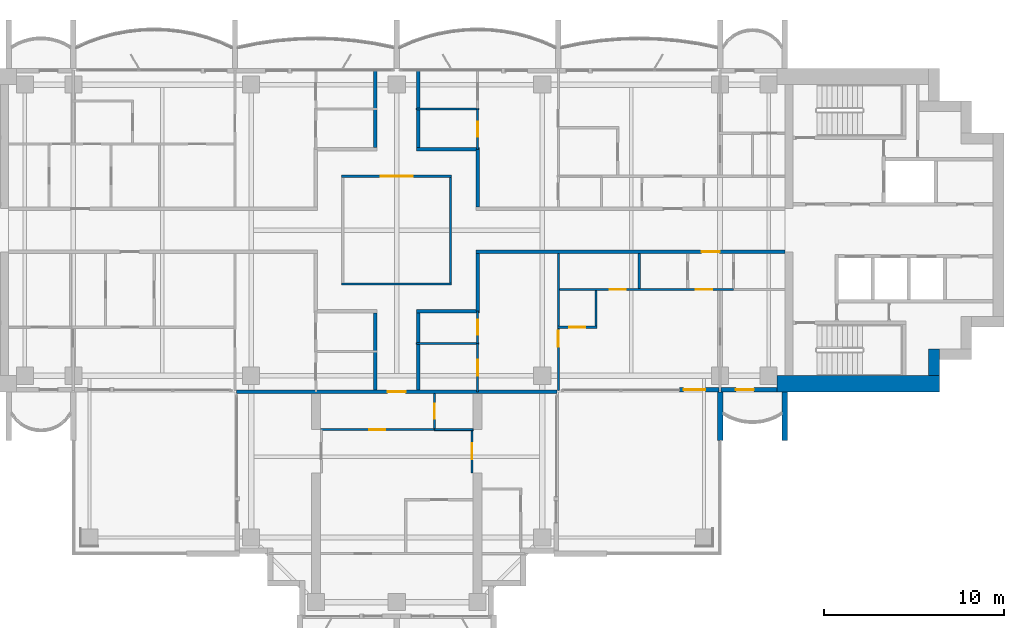
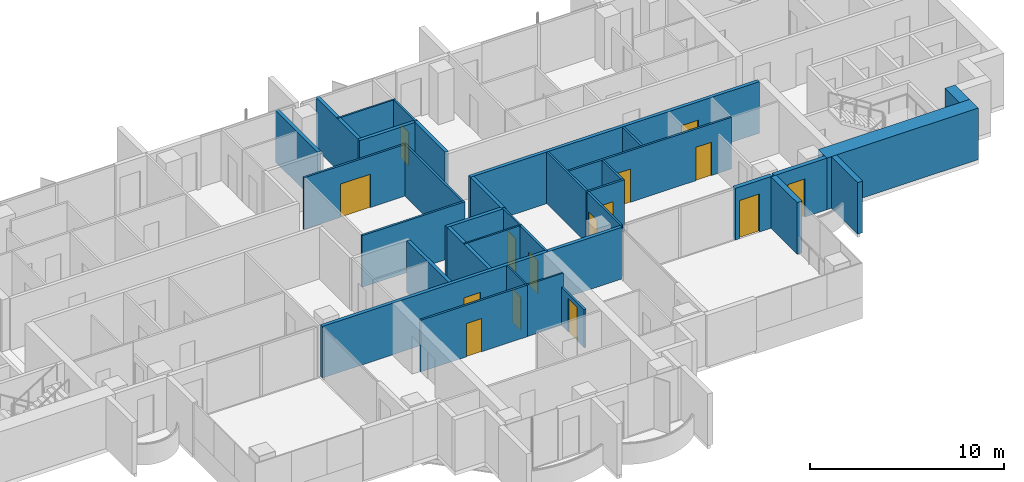
# One storey, part 11 of 18: 33 walls, 15 doors, 15 openings.
"""IFC4 building model written with IfcOpenShell, lengths in metres."""

from ifc_helpers import new_model, si_unit, direction, frame, frame_2d, origin, place, context, subcontext, project, spatial, rectangle, extrude, material, layer, layer_set, type_object, element, fill, save


model = new_model("IFC4")

# Units and contexts
model_context = context("Model", 3, precision=1e-05, world=origin(), true_north=direction((0.0, 1.0)))
body_context = subcontext(model_context, "Body", "Model", "MODEL_VIEW")
ifc_project = project(units=[si_unit("LENGTHUNIT", "METRE"), si_unit("AREAUNIT", "SQUARE_METRE"), si_unit("VOLUMEUNIT", "CUBIC_METRE"), si_unit("PLANEANGLEUNIT", "RADIAN"), si_unit("MASSUNIT", "GRAM", prefix="KILO")], contexts=[model_context])

# Site, building, storey
site_placement = place(None, origin())
site = spatial("IfcSite", under=ifc_project, at=site_placement, CompositionType="ELEMENT")
building_placement = place(site_placement, origin())
building = spatial("IfcBuilding", under=site, at=building_placement, Name="Perihelion Cross Residences", CompositionType="ELEMENT")
storey_placement = place(building_placement, frame((0.0, 0.0, 173.60009765625)))
storey = spatial("IfcBuildingStorey", under=building, at=storey_placement, Name="L42", CompositionType="ELEMENT", Elevation=173.60009765625)

# Walls
ifc_material_1 = material(Name="Plasterboard partition")
ifc_layer_1 = layer(ifc_material_1, 0.199951171875)
ifc_layer_set_1 = layer_set([ifc_layer_1], Name="Apartment separation wall 200")
wall_type_1 = type_object("IfcWallType", Name="Apartment separation wall 200", PredefinedType="PARTITIONING", material=ifc_layer_set_1)
wall_1_placement = place(storey_placement, frame((4.5, 4.5, 0.0), z_axis=(0.0, 0.0, 1.0), x_axis=(0.0, -1.0, 0.0)))
element("IfcWall", 1, at=wall_1_placement, inside=storey, type_object=wall_type_1, Name="Partition L42 W006", PredefinedType="PARTITIONING", context=body_context, shape_type="SweptSolid", body=[
    extrude(rectangle(XDim=3.199951171875, YDim=0.199951171875, at=frame_2d((1.60009765625, 0.0))), origin(), (0.0, 0.0, 1.0), 3.25),
])
wall_2_placement = place(storey_placement, frame((1.199951171875, 8.919921875, 0.0), z_axis=(0.0, 0.0, 1.0), x_axis=(0.0, -1.0, 0.0)))
element("IfcWall", 2, at=wall_2_placement, inside=storey, type_object=wall_type_1, Name="Partition L42 W007", PredefinedType="PARTITIONING", context=body_context, shape_type="SweptSolid", body=[
    extrude(rectangle(XDim=4.31982421875, YDim=0.199951171875, at=frame_2d((2.159912109375, 0.0))), origin(), (0.0, 0.0, 1.0), 3.25),
])
wall_3_placement = place(storey_placement, frame((1.10009765625, 4.5, 0.0), z_axis=(0.0, 0.0, 1.0), x_axis=(1.0, 0.0, 0.0)))
element("IfcWall", 3, at=wall_3_placement, inside=storey, type_object=wall_type_1, Name="Partition L42 W008", PredefinedType="PARTITIONING", context=body_context, shape_type="SweptSolid", body=[
    extrude(rectangle(XDim=3.5, YDim=0.199951171875, at=frame_2d((1.75, 0.0))), origin(), (0.0, 0.0, 1.0), 3.25),
])

# Wall, opening, door
wall_4_placement = place(storey_placement, frame((21.60009765625, -1.199951171875, 0.0), z_axis=(0.0, 0.0, 1.0), x_axis=(-1.0, 0.0, 0.0)))
wall_4 = element("IfcWall", 4, at=wall_4_placement, inside=storey, type_object=wall_type_1, Name="Partition L42 W009", PredefinedType="PARTITIONING", context=body_context, shape_type="SweptSolid", body=[
    extrude(rectangle(XDim=17.2001953125, YDim=0.199951171875, at=frame_2d((8.60009765625, 0.0))), origin(), (0.0, 0.0, 1.0), 3.25),
])
opening_1_placement = place(wall_4_placement, frame((3.625, 0.0, 0.0)))
opening_1 = element("IfcOpeningElement", 5, at=opening_1_placement, cuts=wall_4, Name="Opening L42.A46", PredefinedType="OPENING", context=body_context, shape_type="SweptSolid", body=[
    extrude(rectangle(XDim=1.0, YDim=2.10009765625, at=frame_2d((0.5, 1.050048828125))), frame((0.0, 0.10986328125, 0.0), z_axis=(0.0, -1.0, 0.0), x_axis=(1.0, 0.0, 0.0)), (0.0, 0.0, 1.0), 0.219970703125),
])
ifc_material_2 = material(Name="Timber door leaf", Category="wood")
door_type_1 = type_object("IfcDoorType", Name="Flat entrance door 1000 x 2100", OperationType="SINGLE_SWING_LEFT", PredefinedType="DOOR", material=ifc_material_2)
door_1_placement = place(opening_1_placement, origin())
door_1 = element("IfcDoor", 6, at=door_1_placement, inside=storey, type_object=door_type_1, Name="Door L42.A46", OperationType="SINGLE_SWING_RIGHT", OverallHeight=2.10009765625, OverallWidth=1.0, PredefinedType="DOOR", context=body_context, shape_type="SweptSolid", body=[
    extrude(rectangle(XDim=1.0, YDim=2.10009765625, at=frame_2d((0.5, 1.050048828125))), frame((0.0, 0.02490234375, 0.0), z_axis=(0.0, -1.0, 0.0), x_axis=(1.0, 0.0, 0.0)), (0.0, 0.0, 1.0), 0.050048828125),
])
fill(opening_1, door_1)

# Walls
wall_5_placement = place(storey_placement, frame((4.5, -1.300048828125, 0.0), z_axis=(0.0, 0.0, 1.0), x_axis=(0.0, -1.0, 0.0)))
element("IfcWall", 7, at=wall_5_placement, inside=storey, type_object=wall_type_1, Name="Partition L42 W010", PredefinedType="PARTITIONING", context=body_context, shape_type="SweptSolid", body=[
    extrude(rectangle(XDim=3.199951171875, YDim=0.199951171875, at=frame_2d((1.60009765625, 0.0))), origin(), (0.0, 0.0, 1.0), 3.25),
])
wall_6_placement = place(storey_placement, frame((4.60009765625, -4.5, 0.0), z_axis=(0.0, 0.0, 1.0), x_axis=(-1.0, 0.0, 0.0)))
element("IfcWall", 8, at=wall_6_placement, inside=storey, type_object=wall_type_1, Name="Partition L42 W011", PredefinedType="PARTITIONING", context=body_context, shape_type="SweptSolid", body=[
    extrude(rectangle(XDim=3.5, YDim=0.199951171875, at=frame_2d((1.75, 0.0))), origin(), (0.0, 0.0, 1.0), 3.25),
])
wall_7_placement = place(storey_placement, frame((1.199951171875, -4.60009765625, 0.0), z_axis=(0.0, 0.0, 1.0), x_axis=(0.0, -1.0, 0.0)))
element("IfcWall", 9, at=wall_7_placement, inside=storey, type_object=wall_type_1, Name="Partition L42 W012", PredefinedType="PARTITIONING", context=body_context, shape_type="SweptSolid", body=[
    extrude(rectangle(XDim=4.2998046875, YDim=0.199951171875, at=frame_2d((2.14990234375, 0.0))), origin(), (0.0, 0.0, 1.0), 3.25),
])
wall_8_placement = place(storey_placement, frame((-1.199951171875, 4.60009765625, 0.0), z_axis=(0.0, 0.0, 1.0), x_axis=(0.0, 1.0, 0.0)))
element("IfcWall", 10, at=wall_8_placement, inside=storey, type_object=wall_type_1, Name="Partition L42 W016", PredefinedType="PARTITIONING", context=body_context, shape_type="SweptSolid", body=[
    extrude(rectangle(XDim=4.31982421875, YDim=0.199951171875, at=frame_2d((2.159912109375, 0.0))), origin(), (0.0, 0.0, 1.0), 3.25),
])
wall_9_placement = place(storey_placement, frame((-1.199951171875, -8.89990234375, 0.0), z_axis=(0.0, 0.0, 1.0), x_axis=(0.0, 1.0, 0.0)))
element("IfcWall", 11, at=wall_9_placement, inside=storey, type_object=wall_type_1, Name="Partition L42 W019", PredefinedType="PARTITIONING", context=body_context, shape_type="SweptSolid", body=[
    extrude(rectangle(XDim=4.2998046875, YDim=0.199951171875, at=frame_2d((2.14990234375, 0.0))), origin(), (0.0, 0.0, 1.0), 3.25),
])

# Wall, opening, door
wall_10_placement = place(storey_placement, frame((8.919921875, -9.0, 0.0), z_axis=(0.0, 0.0, 1.0), x_axis=(-1.0, 0.0, 0.0)))
wall_10 = element("IfcWall", 12, at=wall_10_placement, inside=storey, type_object=wall_type_1, Name="Partition L42 W021", PredefinedType="PARTITIONING", context=body_context, shape_type="SweptSolid", body=[
    extrude(rectangle(XDim=17.83984375, YDim=0.199951171875, at=frame_2d((8.919921875, 0.0))), origin(), (0.0, 0.0, 1.0), 3.25),
])
opening_2_placement = place(wall_10_placement, frame((8.419921875, 0.0, 0.0)))
opening_2 = element("IfcOpeningElement", 13, at=opening_2_placement, cuts=wall_10, Name="Opening L42.A39", PredefinedType="OPENING", context=body_context, shape_type="SweptSolid", body=[
    extrude(rectangle(XDim=1.0, YDim=2.10009765625, at=frame_2d((0.5, 1.050048828125))), frame((0.0, 0.10986328125, 0.0), z_axis=(0.0, -1.0, 0.0), x_axis=(1.0, 0.0, 0.0)), (0.0, 0.0, 1.0), 0.219970703125),
])
door_2_placement = place(opening_2_placement, origin())
door_2 = element("IfcDoor", 14, at=door_2_placement, inside=storey, type_object=door_type_1, Name="Door L42.A39", OperationType="SINGLE_SWING_LEFT", OverallHeight=2.10009765625, OverallWidth=1.0, PredefinedType="DOOR", context=body_context, shape_type="SweptSolid", body=[
    extrude(rectangle(XDim=1.0, YDim=2.10009765625, at=frame_2d((0.5, 1.050048828125))), frame((0.0, 0.02490234375, 0.0), z_axis=(0.0, -1.0, 0.0), x_axis=(1.0, 0.0, 0.0)), (0.0, 0.0, 1.0), 0.050048828125),
])
fill(opening_2, door_2)

ifc_material_3 = material(Name="Concrete C30/37, bronze-clad", Category="concrete")
ifc_layer_2 = layer(ifc_material_3, 0.25)
ifc_layer_set_2 = layer_set([ifc_layer_2], Name="Bronze-clad pier wall 250")
wall_type_2 = type_object("IfcWallType", Name="Bronze-clad pier wall 250", PredefinedType="SOLIDWALL", material=ifc_layer_set_2)
wall_11_placement = place(storey_placement, frame((15.72509765625, -8.875, 0.0), z_axis=(0.0, 0.0, 1.0), x_axis=(1.0, 0.0, 0.0)))
wall_11 = element("IfcWall", 15, at=wall_11_placement, inside=storey, type_object=wall_type_2, Name="Wall FW1 L42 east side south bay 1 pier", PredefinedType="SOLIDWALL", context=body_context, shape_type="SweptSolid", body=[
    extrude(rectangle(XDim=2.21484375, YDim=0.25, at=frame_2d((1.107421875, 0.0))), origin(), (0.0, 0.0, 1.0), 3.25),
])
opening_3_placement = place(wall_11_placement, frame((0.25, 0.0, 0.0)))
opening_3 = element("IfcOpeningElement", 16, at=opening_3_placement, cuts=wall_11, Name="Opening L42.E13", PredefinedType="OPENING", context=body_context, shape_type="SweptSolid", body=[
    extrude(rectangle(XDim=1.199951171875, YDim=2.39990234375, at=frame_2d((0.60009765625, 1.199951171875))), frame((0.0, 0.135009765625, 0.0), z_axis=(0.0, -1.0, 0.0), x_axis=(1.0, 0.0, 0.0)), (0.0, 0.0, 1.0), 0.27001953125),
])
ifc_material_4 = material(Name="Bronze anodised aluminium, glazed", Category="aluminium")
door_type_2 = type_object("IfcDoorType", Name="Balcony door 1200 x 2400", OperationType="NOTDEFINED", PredefinedType="DOOR", material=ifc_material_4)
door_3_placement = place(opening_3_placement, origin())
door_3 = element("IfcDoor", 17, at=door_3_placement, inside=storey, type_object=door_type_2, Name="Door L42.E13 east side south bay 1", OperationType="SINGLE_SWING_LEFT", OverallHeight=2.39990234375, OverallWidth=1.199951171875, PredefinedType="DOOR", context=body_context, shape_type="SweptSolid", body=[
    extrude(rectangle(XDim=1.199951171875, YDim=2.39990234375, at=frame_2d((0.60009765625, 1.199951171875))), frame((0.0, 0.02490234375, 0.0), z_axis=(0.0, -1.0, 0.0), x_axis=(1.0, 0.0, 0.0)), (0.0, 0.0, 1.0), 0.050048828125),
])
fill(opening_3, door_3)

wall_12_placement = place(storey_placement, frame((18.06005859375, -8.875, 0.0), z_axis=(0.0, 0.0, 1.0), x_axis=(1.0, 0.0, 0.0)))
wall_12 = element("IfcWall", 18, at=wall_12_placement, inside=storey, type_object=wall_type_2, Name="Wall FW1 L42 east side south bay 2 pier", PredefinedType="SOLIDWALL", context=body_context, shape_type="SweptSolid", body=[
    extrude(rectangle(XDim=3.114990234375, YDim=0.25, at=frame_2d((1.5576171875, 0.0))), origin(), (0.0, 0.0, 1.0), 3.25),
])
opening_4_placement = place(wall_12_placement, frame((0.81494140625, 0.0, 0.0)))
opening_4 = element("IfcOpeningElement", 19, at=opening_4_placement, cuts=wall_12, Name="Opening L42.E14", PredefinedType="OPENING", context=body_context, shape_type="SweptSolid", body=[
    extrude(rectangle(XDim=1.0, YDim=2.39990234375, at=frame_2d((0.5, 1.199951171875))), frame((0.0, 0.135009765625, 0.0), z_axis=(0.0, -1.0, 0.0), x_axis=(1.0, 0.0, 0.0)), (0.0, 0.0, 1.0), 0.27001953125),
])
ifc_material_5 = material(Name="Bronze anodised aluminium, glazed", Category="aluminium")
door_type_3 = type_object("IfcDoorType", Name="Balcony door 1000 x 2400", OperationType="NOTDEFINED", PredefinedType="DOOR", material=ifc_material_5)
door_4_placement = place(opening_4_placement, origin())
door_4 = element("IfcDoor", 20, at=door_4_placement, inside=storey, type_object=door_type_3, Name="Door L42.E14 east side south bay 2", OperationType="SINGLE_SWING_RIGHT", OverallHeight=2.39990234375, OverallWidth=1.0, PredefinedType="DOOR", context=body_context, shape_type="SweptSolid", body=[
    extrude(rectangle(XDim=1.0, YDim=2.39990234375, at=frame_2d((0.5, 1.199951171875))), frame((0.0, 0.02490234375, 0.0), z_axis=(0.0, -1.0, 0.0), x_axis=(1.0, 0.0, 0.0)), (0.0, 0.0, 1.0), 0.050048828125),
])
fill(opening_4, door_4)

# Walls
ifc_material_6 = material(Name="Concrete C60/75", Category="concrete")
ifc_layer_3 = layer(ifc_material_6, 0.60009765625)
ifc_layer_set_3 = layer_set([ifc_layer_3], Name="Core wall, outer 600")
wall_type_3 = type_object("IfcWallType", Name="Core wall, outer 600", PredefinedType="SHEAR", material=ifc_layer_set_3)
wall_13_placement = place(storey_placement, frame((29.89990234375, -8.10009765625, 0.0), z_axis=(0.0, 0.0, 1.0), x_axis=(0.0, 1.0, 0.0)))
element("IfcWall", 21, at=wall_13_placement, inside=storey, type_object=wall_type_3, Name="East core core wall, outer", PredefinedType="SHEAR", context=body_context, shape_type="SweptSolid", body=[
    extrude(rectangle(XDim=1.5, YDim=0.60009765625, at=frame_2d((0.75, 0.0))), origin(), (0.0, 0.0, 1.0), 3.25),
])
ifc_material_7 = material(Name="Concrete C60/75", Category="concrete")
ifc_layer_4 = layer(ifc_material_7, 0.89990234375)
ifc_layer_set_4 = layer_set([ifc_layer_4], Name="Core wall, outer 900")
wall_type_4 = type_object("IfcWallType", Name="Core wall, outer 900", PredefinedType="SHEAR", material=ifc_layer_set_4)
wall_14_placement = place(storey_placement, frame((21.175048828125, -8.550048828125, 0.0), z_axis=(0.0, 0.0, 1.0), x_axis=(1.0, 0.0, 0.0)))
element("IfcWall", 22, at=wall_14_placement, inside=storey, type_object=wall_type_4, Name="East core core wall, outer", PredefinedType="SHEAR", context=body_context, shape_type="SweptSolid", body=[
    extrude(rectangle(XDim=9.02490234375, YDim=0.89990234375, at=frame_2d((4.512451171875, 0.0))), origin(), (0.0, 0.0, 1.0), 3.25),
])

# Wall, opening, door
ifc_material_8 = material(Name="Plasterboard partition")
ifc_layer_5 = layer(ifc_material_8, 0.1201171875)
ifc_layer_set_5 = layer_set([ifc_layer_5], Name="Infill panel 120")
wall_type_5 = type_object("IfcWallType", Name="Infill panel 120", PredefinedType="PARTITIONING", material=ifc_layer_set_5)
wall_15_placement = place(storey_placement, frame((4.18994140625, -11.10009765625, 0.0), z_axis=(0.0, 0.0, 1.0), x_axis=(0.0, -1.0, 0.0)))
wall_15 = element("IfcWall", 23, at=wall_15_placement, inside=storey, type_object=wall_type_5, Name="Partition L42 WI01", PredefinedType="PARTITIONING", context=body_context, shape_type="SweptSolid", body=[
    extrude(rectangle(XDim=2.39990234375, YDim=0.1201171875, at=frame_2d((1.199951171875, 0.0))), origin(), (0.0, 0.0, 1.0), 2.39990234375),
])
opening_5_placement = place(wall_15_placement, frame((0.75, 0.0, 0.0)))
opening_5 = element("IfcOpeningElement", 24, at=opening_5_placement, cuts=wall_15, Name="Opening L42.A49", PredefinedType="OPENING", context=body_context, shape_type="SweptSolid", body=[
    extrude(rectangle(XDim=0.89990234375, YDim=2.10009765625, at=frame_2d((0.449951171875, 1.050048828125))), frame((0.0, 0.070068359375, 0.0), z_axis=(0.0, -1.0, 0.0), x_axis=(1.0, 0.0, 0.0)), (0.0, 0.0, 1.0), 0.14013671875),
])
ifc_material_9 = material(Name="Timber door leaf", Category="wood")
door_type_4 = type_object("IfcDoorType", Name="Interior room door 900 x 2100", OperationType="SINGLE_SWING_LEFT", PredefinedType="DOOR", material=ifc_material_9)
door_5_placement = place(opening_5_placement, origin())
door_5 = element("IfcDoor", 25, at=door_5_placement, inside=storey, type_object=door_type_4, Name="Door L42.A49", OperationType="SINGLE_SWING_RIGHT", OverallHeight=2.10009765625, OverallWidth=0.89990234375, PredefinedType="DOOR", context=body_context, shape_type="SweptSolid", body=[
    extrude(rectangle(XDim=0.89990234375, YDim=2.10009765625, at=frame_2d((0.449951171875, 1.050048828125))), frame((0.0, 0.02490234375, 0.0), z_axis=(0.0, -1.0, 0.0), x_axis=(1.0, 0.0, 0.0)), (0.0, 0.0, 1.0), 0.050048828125),
])
fill(opening_5, door_5)

# Walls
ifc_material_10 = material(Name="Plasterboard partition")
ifc_layer_6 = layer(ifc_material_10, 0.1201171875)
ifc_layer_set_6 = layer_set([ifc_layer_6], Name="Partition wall 120")
wall_type_6 = type_object("IfcWallType", Name="Partition wall 120", PredefinedType="PARTITIONING", material=ifc_layer_set_6)
wall_16_placement = place(storey_placement, frame((-3.06005859375, -3.0, 0.0), z_axis=(0.0, 0.0, 1.0), x_axis=(1.0, 0.0, 0.0)))
element("IfcWall", 26, at=wall_16_placement, inside=storey, type_object=wall_type_6, Name="Partition L42 W001", PredefinedType="PARTITIONING", context=body_context, shape_type="SweptSolid", body=[
    extrude(rectangle(XDim=6.1201171875, YDim=0.1201171875, at=frame_2d((3.06005859375, 0.0))), origin(), (0.0, 0.0, 1.0), 3.25),
])
wall_17_placement = place(storey_placement, frame((3.0, -2.93994140625, 0.0), z_axis=(0.0, 0.0, 1.0), x_axis=(0.0, 1.0, 0.0)))
element("IfcWall", 27, at=wall_17_placement, inside=storey, type_object=wall_type_6, Name="Partition L42 W002", PredefinedType="PARTITIONING", context=body_context, shape_type="SweptSolid", body=[
    extrude(rectangle(XDim=5.8798828125, YDim=0.1201171875, at=frame_2d((2.93994140625, 0.0))), origin(), (0.0, 0.0, 1.0), 3.25),
])

# Wall, opening, door
wall_18_placement = place(storey_placement, frame((3.06005859375, 3.0, 0.0), z_axis=(0.0, 0.0, 1.0), x_axis=(-1.0, 0.0, 0.0)))
wall_18 = element("IfcWall", 28, at=wall_18_placement, inside=storey, type_object=wall_type_6, Name="Partition L42 W003", PredefinedType="PARTITIONING", context=body_context, shape_type="SweptSolid", body=[
    extrude(rectangle(XDim=6.1201171875, YDim=0.1201171875, at=frame_2d((3.06005859375, 0.0))), origin(), (0.0, 0.0, 1.0), 3.25),
])
opening_6_placement = place(wall_18_placement, frame((2.159912109375, 0.0, 0.0)))
opening_6 = element("IfcOpeningElement", 29, at=opening_6_placement, cuts=wall_18, Name="Opening L42.A01", PredefinedType="OPENING", context=body_context, shape_type="SweptSolid", body=[
    extrude(rectangle(XDim=1.800048828125, YDim=2.10009765625, at=frame_2d((0.89990234375, 1.050048828125))), frame((0.0, 0.070068359375, 0.0), z_axis=(0.0, -1.0, 0.0), x_axis=(1.0, 0.0, 0.0)), (0.0, 0.0, 1.0), 0.14013671875),
])
ifc_material_11 = material(Name="Glazed timber door leaf", Category="wood")
door_type_5 = type_object("IfcDoorType", Name="Interior double leaf door 1800 x 2100", OperationType="DOUBLE_DOOR_SINGLE_SWING", PredefinedType="DOOR", material=ifc_material_11)
door_6_placement = place(opening_6_placement, origin())
door_6 = element("IfcDoor", 30, at=door_6_placement, inside=storey, type_object=door_type_5, Name="Door L42.A01", OperationType="SINGLE_SWING_LEFT", OverallHeight=2.10009765625, OverallWidth=1.800048828125, PredefinedType="DOOR", context=body_context, shape_type="SweptSolid", body=[
    extrude(rectangle(XDim=1.800048828125, YDim=2.10009765625, at=frame_2d((0.89990234375, 1.050048828125))), frame((0.0, 0.02490234375, 0.0), z_axis=(0.0, -1.0, 0.0), x_axis=(1.0, 0.0, 0.0)), (0.0, 0.0, 1.0), 0.050048828125),
])
fill(opening_6, door_6)

# Wall
wall_19_placement = place(storey_placement, frame((13.5, -1.300048828125, 0.0), z_axis=(0.0, 0.0, 1.0), x_axis=(0.0, -1.0, 0.0)))
element("IfcWall", 31, at=wall_19_placement, inside=storey, type_object=wall_type_6, Name="Partition L42 W039", PredefinedType="PARTITIONING", context=body_context, shape_type="SweptSolid", body=[
    extrude(rectangle(XDim=1.93994140625, YDim=0.1201171875, at=frame_2d((0.969970703125, 0.0))), origin(), (0.0, 0.0, 1.0), 3.25),
])

# Wall, openings, doors
wall_20_placement = place(storey_placement, frame((18.75, -3.300048828125, 0.0), z_axis=(0.0, 0.0, 1.0), x_axis=(-1.0, 0.0, 0.0)))
wall_20 = element("IfcWall", 32, at=wall_20_placement, inside=storey, type_object=wall_type_6, Name="Partition L42 W040", PredefinedType="PARTITIONING", context=body_context, shape_type="SweptSolid", body=[
    extrude(rectangle(XDim=9.81005859375, YDim=0.1201171875, at=frame_2d((4.905029296875, 0.0))), origin(), (0.0, 0.0, 1.0), 3.25),
])
opening_7_placement = place(wall_20_placement, frame((6.0, 0.0, 0.0)))
opening_7 = element("IfcOpeningElement", 33, at=opening_7_placement, cuts=wall_20, Name="Opening L42.A16", PredefinedType="OPENING", context=body_context, shape_type="SweptSolid", body=[
    extrude(rectangle(XDim=0.89990234375, YDim=2.10009765625, at=frame_2d((0.449951171875, 1.050048828125))), frame((0.0, 0.070068359375, 0.0), z_axis=(0.0, -1.0, 0.0), x_axis=(1.0, 0.0, 0.0)), (0.0, 0.0, 1.0), 0.14013671875),
])
opening_8_placement = place(wall_20_placement, frame((1.199951171875, 0.0, 0.0)))
opening_8 = element("IfcOpeningElement", 34, at=opening_8_placement, cuts=wall_20, Name="Opening L42.A21", PredefinedType="OPENING", context=body_context, shape_type="SweptSolid", body=[
    extrude(rectangle(XDim=0.89990234375, YDim=2.10009765625, at=frame_2d((0.449951171875, 1.050048828125))), frame((0.0, 0.070068359375, 0.0), z_axis=(0.0, -1.0, 0.0), x_axis=(1.0, 0.0, 0.0)), (0.0, 0.0, 1.0), 0.14013671875),
])
door_7_placement = place(opening_7_placement, origin())
door_7 = element("IfcDoor", 35, at=door_7_placement, inside=storey, type_object=door_type_4, Name="Door L42.A16", OperationType="SINGLE_SWING_RIGHT", OverallHeight=2.10009765625, OverallWidth=0.89990234375, PredefinedType="DOOR", context=body_context, shape_type="SweptSolid", body=[
    extrude(rectangle(XDim=0.89990234375, YDim=2.10009765625, at=frame_2d((0.449951171875, 1.050048828125))), frame((0.0, 0.02490234375, 0.0), z_axis=(0.0, -1.0, 0.0), x_axis=(1.0, 0.0, 0.0)), (0.0, 0.0, 1.0), 0.050048828125),
])
fill(opening_7, door_7)
door_8_placement = place(opening_8_placement, origin())
door_8 = element("IfcDoor", 36, at=door_8_placement, inside=storey, type_object=door_type_4, Name="Door L42.A21", OperationType="SINGLE_SWING_LEFT", OverallHeight=2.10009765625, OverallWidth=0.89990234375, PredefinedType="DOOR", context=body_context, shape_type="SweptSolid", body=[
    extrude(rectangle(XDim=0.89990234375, YDim=2.10009765625, at=frame_2d((0.449951171875, 1.050048828125))), frame((0.0, 0.02490234375, 0.0), z_axis=(0.0, -1.0, 0.0), x_axis=(1.0, 0.0, 0.0)), (0.0, 0.0, 1.0), 0.050048828125),
])
fill(opening_8, door_8)

# Wall, opening, door
wall_21_placement = place(storey_placement, frame((9.0, -8.919921875, 0.0), z_axis=(0.0, 0.0, 1.0), x_axis=(0.0, 1.0, 0.0)))
wall_21 = element("IfcWall", 37, at=wall_21_placement, inside=storey, type_object=wall_type_6, Name="Partition L42 W041", PredefinedType="PARTITIONING", context=body_context, shape_type="SweptSolid", body=[
    extrude(rectangle(XDim=7.619873046875, YDim=0.1201171875, at=frame_2d((3.81005859375, 0.0))), origin(), (0.0, 0.0, 1.0), 3.25),
])
opening_9_placement = place(wall_21_placement, frame((2.419921875, 0.0, 0.0)))
opening_9 = element("IfcOpeningElement", 38, at=opening_9_placement, cuts=wall_21, Name="Opening L42.A17", PredefinedType="OPENING", context=body_context, shape_type="SweptSolid", body=[
    extrude(rectangle(XDim=0.89990234375, YDim=2.10009765625, at=frame_2d((0.449951171875, 1.050048828125))), frame((0.0, 0.070068359375, 0.0), z_axis=(0.0, -1.0, 0.0), x_axis=(1.0, 0.0, 0.0)), (0.0, 0.0, 1.0), 0.14013671875),
])
door_9_placement = place(opening_9_placement, origin())
door_9 = element("IfcDoor", 39, at=door_9_placement, inside=storey, type_object=door_type_4, Name="Door L42.A17", OperationType="SINGLE_SWING_LEFT", OverallHeight=2.10009765625, OverallWidth=0.89990234375, PredefinedType="DOOR", context=body_context, shape_type="SweptSolid", body=[
    extrude(rectangle(XDim=0.89990234375, YDim=2.10009765625, at=frame_2d((0.449951171875, 1.050048828125))), frame((0.0, 0.02490234375, 0.0), z_axis=(0.0, -1.0, 0.0), x_axis=(1.0, 0.0, 0.0)), (0.0, 0.0, 1.0), 0.050048828125),
])
fill(opening_9, door_9)

wall_22_placement = place(storey_placement, frame((8.93994140625, -5.39990234375, 0.0), z_axis=(0.0, 0.0, 1.0), x_axis=(1.0, 0.0, 0.0)))
wall_22 = element("IfcWall", 40, at=wall_22_placement, inside=storey, type_object=wall_type_6, Name="Partition L42 W045", PredefinedType="PARTITIONING", context=body_context, shape_type="SweptSolid", body=[
    extrude(rectangle(XDim=2.219970703125, YDim=0.1201171875, at=frame_2d((1.10986328125, 0.0))), origin(), (0.0, 0.0, 1.0), 3.25),
])
opening_10_placement = place(wall_22_placement, frame((0.659912109375, 0.0, 0.0)))
opening_10 = element("IfcOpeningElement", 41, at=opening_10_placement, cuts=wall_22, Name="Opening L42.A19", PredefinedType="OPENING", context=body_context, shape_type="SweptSolid", body=[
    extrude(rectangle(XDim=0.89990234375, YDim=2.10009765625, at=frame_2d((0.449951171875, 1.050048828125))), frame((0.0, 0.070068359375, 0.0), z_axis=(0.0, -1.0, 0.0), x_axis=(1.0, 0.0, 0.0)), (0.0, 0.0, 1.0), 0.14013671875),
])
door_10_placement = place(opening_10_placement, origin())
door_10 = element("IfcDoor", 42, at=door_10_placement, inside=storey, type_object=door_type_4, Name="Door L42.A19", OperationType="SINGLE_SWING_RIGHT", OverallHeight=2.10009765625, OverallWidth=0.89990234375, PredefinedType="DOOR", context=body_context, shape_type="SweptSolid", body=[
    extrude(rectangle(XDim=0.89990234375, YDim=2.10009765625, at=frame_2d((0.449951171875, 1.050048828125))), frame((0.0, 0.02490234375, 0.0), z_axis=(0.0, -1.0, 0.0), x_axis=(1.0, 0.0, 0.0)), (0.0, 0.0, 1.0), 0.050048828125),
])
fill(opening_10, door_10)

# Wall
wall_23_placement = place(storey_placement, frame((11.10009765625, -5.340087890625, 0.0), z_axis=(0.0, 0.0, 1.0), x_axis=(0.0, 1.0, 0.0)))
element("IfcWall", 43, at=wall_23_placement, inside=storey, type_object=wall_type_6, Name="Partition L42 W046", PredefinedType="PARTITIONING", context=body_context, shape_type="SweptSolid", body=[
    extrude(rectangle(XDim=1.97998046875, YDim=0.1201171875, at=frame_2d((0.989990234375, 0.0))), origin(), (0.0, 0.0, 1.0), 3.25),
])

# Wall, opening, door
wall_24_placement = place(storey_placement, frame((4.5, -9.0, 0.0), z_axis=(0.0, 0.0, 1.0), x_axis=(0.0, 1.0, 0.0)))
wall_24 = element("IfcWall", 44, at=wall_24_placement, inside=storey, type_object=wall_type_6, Name="Partition L42 W049", PredefinedType="PARTITIONING", context=body_context, shape_type="SweptSolid", body=[
    extrude(rectangle(XDim=2.699951171875, YDim=0.1201171875, at=frame_2d((1.35009765625, 0.0))), origin(), (0.0, 0.0, 1.0), 3.25),
])
opening_11_placement = place(wall_24_placement, frame((0.89990234375, 0.0, 0.0)))
opening_11 = element("IfcOpeningElement", 45, at=opening_11_placement, cuts=wall_24, Name="Opening L42.A18", PredefinedType="OPENING", context=body_context, shape_type="SweptSolid", body=[
    extrude(rectangle(XDim=0.89990234375, YDim=2.10009765625, at=frame_2d((0.449951171875, 1.050048828125))), frame((0.0, 0.070068359375, 0.0), z_axis=(0.0, -1.0, 0.0), x_axis=(1.0, 0.0, 0.0)), (0.0, 0.0, 1.0), 0.14013671875),
])
door_11_placement = place(opening_11_placement, origin())
door_11 = element("IfcDoor", 46, at=door_11_placement, inside=storey, type_object=door_type_4, Name="Door L42.A18", OperationType="SINGLE_SWING_LEFT", OverallHeight=2.10009765625, OverallWidth=0.89990234375, PredefinedType="DOOR", context=body_context, shape_type="SweptSolid", body=[
    extrude(rectangle(XDim=0.89990234375, YDim=2.10009765625, at=frame_2d((0.449951171875, 1.050048828125))), frame((0.0, 0.02490234375, 0.0), z_axis=(0.0, -1.0, 0.0), x_axis=(1.0, 0.0, 0.0)), (0.0, 0.0, 1.0), 0.050048828125),
])
fill(opening_11, door_11)

wall_25_placement = place(storey_placement, frame((2.10009765625, -11.10009765625, 0.0), z_axis=(0.0, 0.0, 1.0), x_axis=(-1.0, 0.0, 0.0)))
wall_25 = element("IfcWall", 47, at=wall_25_placement, inside=storey, type_object=wall_type_6, Name="Partition L42 W074", PredefinedType="PARTITIONING", context=body_context, shape_type="SweptSolid", body=[
    extrude(rectangle(XDim=6.35009765625, YDim=0.1201171875, at=frame_2d((3.175048828125, 0.0))), origin(), (0.0, 0.0, 1.0), 3.25),
])
opening_12_placement = place(wall_25_placement, frame((2.72509765625, 0.0, 0.0)))
opening_12 = element("IfcOpeningElement", 48, at=opening_12_placement, cuts=wall_25, Name="Opening L42.A41", PredefinedType="OPENING", context=body_context, shape_type="SweptSolid", body=[
    extrude(rectangle(XDim=0.89990234375, YDim=2.10009765625, at=frame_2d((0.449951171875, 1.050048828125))), frame((0.0, 0.070068359375, 0.0), z_axis=(0.0, -1.0, 0.0), x_axis=(1.0, 0.0, 0.0)), (0.0, 0.0, 1.0), 0.14013671875),
])
door_12_placement = place(opening_12_placement, origin())
door_12 = element("IfcDoor", 49, at=door_12_placement, inside=storey, type_object=door_type_4, Name="Door L42.A41", OperationType="SINGLE_SWING_LEFT", OverallHeight=2.10009765625, OverallWidth=0.89990234375, PredefinedType="DOOR", context=body_context, shape_type="SweptSolid", body=[
    extrude(rectangle(XDim=0.89990234375, YDim=2.10009765625, at=frame_2d((0.449951171875, 1.050048828125))), frame((0.0, 0.02490234375, 0.0), z_axis=(0.0, -1.0, 0.0), x_axis=(1.0, 0.0, 0.0)), (0.0, 0.0, 1.0), 0.050048828125),
])
fill(opening_12, door_12)

# Walls
ifc_material_12 = material(Name="Precast concrete C50/60", Category="concrete")
ifc_layer_7 = layer(ifc_material_12, 0.300048828125)
ifc_layer_set_7 = layer_set([ifc_layer_7], Name="Precast concrete C50/60 blade wall 300")
wall_type_7 = type_object("IfcWallType", Name="Precast concrete C50/60 blade wall 300", PredefinedType="SOLIDWALL", material=ifc_layer_set_7)
for number, where, z_axis, x_axis, name in (
    (50, (18.0, -9.0, 0.0), (0.0, 0.0, 1.0), (0.0, -1.0, 0.0), "Wall BL1 L42 no. 10"),
    (51, (21.60009765625, -9.0, 0.0), (0.0, 0.0, 1.0), (0.0, -1.0, 0.0), "Wall BL1 L42 no. 12"),
):
    element("IfcWall", number, at=place(storey_placement, frame(where, z_axis=z_axis, x_axis=x_axis)), inside=storey, type_object=wall_type_7, Name=name, PredefinedType="SOLIDWALL", context=body_context, shape_type="SweptSolid", body=[
        extrude(rectangle(XDim=2.699951171875, YDim=0.300048828125, at=frame_2d((1.35009765625, 0.0))), origin(), (0.0, 0.0, 1.0), 3.25),
    ])

# Wall, opening, door
ifc_material_13 = material(Name="Plasterboard partition")
ifc_layer_8 = layer(ifc_material_13, 0.10009765625)
ifc_layer_set_8 = layer_set([ifc_layer_8], Name="Wet room wall 100")
wall_type_8 = type_object("IfcWallType", Name="Wet room wall 100", PredefinedType="PARTITIONING", material=ifc_layer_set_8)
wall_26_placement = place(storey_placement, frame((4.5, 4.5, 0.0), z_axis=(0.0, 0.0, 1.0), x_axis=(0.0, 1.0, 0.0)))
wall_26 = element("IfcWall", 52, at=wall_26_placement, inside=storey, type_object=wall_type_8, Name="Partition L42 W036", PredefinedType="PARTITIONING", context=body_context, shape_type="SweptSolid", body=[
    extrude(rectangle(XDim=2.25, YDim=0.10009765625, at=frame_2d((1.125, 0.0))), origin(), (0.0, 0.0, 1.0), 3.25),
])
opening_13_placement = place(wall_26_placement, frame((0.699951171875, 0.0, 0.0)))
opening_13 = element("IfcOpeningElement", 53, at=opening_13_placement, cuts=wall_26, Name="Opening L42.A11", PredefinedType="OPENING", context=body_context, shape_type="SweptSolid", body=[
    extrude(rectangle(XDim=0.85009765625, YDim=2.10009765625, at=frame_2d((0.425048828125, 1.050048828125))), frame((0.0, 0.06005859375, 0.0), z_axis=(0.0, -1.0, 0.0), x_axis=(1.0, 0.0, 0.0)), (0.0, 0.0, 1.0), 0.1201171875),
])
ifc_material_14 = material(Name="Timber door leaf", Category="wood")
door_type_6 = type_object("IfcDoorType", Name="Interior bathroom door 850 x 2100", OperationType="SINGLE_SWING_LEFT", PredefinedType="DOOR", material=ifc_material_14)
door_13_placement = place(opening_13_placement, origin())
door_13 = element("IfcDoor", 54, at=door_13_placement, inside=storey, type_object=door_type_6, Name="Door L42.A11", OperationType="SINGLE_SWING_LEFT", OverallHeight=2.10009765625, OverallWidth=0.85009765625, PredefinedType="DOOR", context=body_context, shape_type="SweptSolid", body=[
    extrude(rectangle(XDim=0.85009765625, YDim=2.10009765625, at=frame_2d((0.425048828125, 1.050048828125))), frame((0.0, 0.02490234375, 0.0), z_axis=(0.0, -1.0, 0.0), x_axis=(1.0, 0.0, 0.0)), (0.0, 0.0, 1.0), 0.050048828125),
])
fill(opening_13, door_13)

# Wall
wall_27_placement = place(storey_placement, frame((1.10009765625, 6.75, 0.0), z_axis=(0.0, 0.0, 1.0), x_axis=(1.0, 0.0, 0.0)))
element("IfcWall", 55, at=wall_27_placement, inside=storey, type_object=wall_type_8, Name="Partition L42 W038", PredefinedType="PARTITIONING", context=body_context, shape_type="SweptSolid", body=[
    extrude(rectangle(XDim=3.4599609375, YDim=0.10009765625, at=frame_2d((1.72998046875, 0.0))), origin(), (0.0, 0.0, 1.0), 3.25),
])

# Wall, opening, door
wall_28_placement = place(storey_placement, frame((4.5, -6.300048828125, 0.0), z_axis=(0.0, 0.0, 1.0), x_axis=(0.0, 1.0, 0.0)))
wall_28 = element("IfcWall", 56, at=wall_28_placement, inside=storey, type_object=wall_type_8, Name="Partition L42 W048", PredefinedType="PARTITIONING", context=body_context, shape_type="SweptSolid", body=[
    extrude(rectangle(XDim=1.800048828125, YDim=0.10009765625, at=frame_2d((0.89990234375, 0.0))), origin(), (0.0, 0.0, 1.0), 3.25),
])
opening_14_placement = place(wall_28_placement, frame((0.47509765625, 0.0, 0.0)))
opening_14 = element("IfcOpeningElement", 57, at=opening_14_placement, cuts=wall_28, Name="Opening L42.A20", PredefinedType="OPENING", context=body_context, shape_type="SweptSolid", body=[
    extrude(rectangle(XDim=0.85009765625, YDim=2.10009765625, at=frame_2d((0.425048828125, 1.050048828125))), frame((0.0, 0.06005859375, 0.0), z_axis=(0.0, -1.0, 0.0), x_axis=(1.0, 0.0, 0.0)), (0.0, 0.0, 1.0), 0.1201171875),
])
door_14_placement = place(opening_14_placement, origin())
door_14 = element("IfcDoor", 58, at=door_14_placement, inside=storey, type_object=door_type_6, Name="Door L42.A20", OperationType="SINGLE_SWING_LEFT", OverallHeight=2.10009765625, OverallWidth=0.85009765625, PredefinedType="DOOR", context=body_context, shape_type="SweptSolid", body=[
    extrude(rectangle(XDim=0.85009765625, YDim=2.10009765625, at=frame_2d((0.425048828125, 1.050048828125))), frame((0.0, 0.02490234375, 0.0), z_axis=(0.0, -1.0, 0.0), x_axis=(1.0, 0.0, 0.0)), (0.0, 0.0, 1.0), 0.050048828125),
])
fill(opening_14, door_14)

# Wall
wall_29_placement = place(storey_placement, frame((4.56005859375, -6.300048828125, 0.0), z_axis=(0.0, 0.0, 1.0), x_axis=(-1.0, 0.0, 0.0)))
element("IfcWall", 59, at=wall_29_placement, inside=storey, type_object=wall_type_8, Name="Partition L42 W050", PredefinedType="PARTITIONING", context=body_context, shape_type="SweptSolid", body=[
    extrude(rectangle(XDim=3.4599609375, YDim=0.10009765625, at=frame_2d((1.72998046875, 0.0))), origin(), (0.0, 0.0, 1.0), 3.25),
])

# Wall, opening, door
wall_30_placement = place(storey_placement, frame((2.10009765625, -9.10009765625, 0.0), z_axis=(0.0, 0.0, 1.0), x_axis=(0.0, -1.0, 0.0)))
wall_30 = element("IfcWall", 60, at=wall_30_placement, inside=storey, type_object=wall_type_8, Name="Partition L42 W073", PredefinedType="PARTITIONING", context=body_context, shape_type="SweptSolid", body=[
    extrude(rectangle(XDim=1.93994140625, YDim=0.10009765625, at=frame_2d((0.969970703125, 0.0))), origin(), (0.0, 0.0, 1.0), 3.25),
])
opening_15_placement = place(wall_30_placement, frame((0.544921875, 0.0, 0.0)))
opening_15 = element("IfcOpeningElement", 61, at=opening_15_placement, cuts=wall_30, Name="Opening L42.A40", PredefinedType="OPENING", context=body_context, shape_type="SweptSolid", body=[
    extrude(rectangle(XDim=0.85009765625, YDim=2.10009765625, at=frame_2d((0.425048828125, 1.050048828125))), frame((0.0, 0.06005859375, 0.0), z_axis=(0.0, -1.0, 0.0), x_axis=(1.0, 0.0, 0.0)), (0.0, 0.0, 1.0), 0.1201171875),
])
door_15_placement = place(opening_15_placement, origin())
door_15 = element("IfcDoor", 62, at=door_15_placement, inside=storey, type_object=door_type_6, Name="Door L42.A40", OperationType="SINGLE_SWING_RIGHT", OverallHeight=2.10009765625, OverallWidth=0.85009765625, PredefinedType="DOOR", context=body_context, shape_type="SweptSolid", body=[
    extrude(rectangle(XDim=0.85009765625, YDim=2.10009765625, at=frame_2d((0.425048828125, 1.050048828125))), frame((0.0, 0.02490234375, 0.0), z_axis=(0.0, -1.0, 0.0), x_axis=(1.0, 0.0, 0.0)), (0.0, 0.0, 1.0), 0.050048828125),
])
fill(opening_15, door_15)

# Wall
wall_31_placement = place(storey_placement, frame((4.25, -11.10009765625, 0.0), z_axis=(0.0, 0.0, 1.0), x_axis=(-1.0, 0.0, 0.0)))
element("IfcWall", 63, at=wall_31_placement, inside=storey, type_object=wall_type_8, Name="Partition L42 W075", PredefinedType="PARTITIONING", context=body_context, shape_type="SweptSolid", body=[
    extrude(rectangle(XDim=2.14990234375, YDim=0.10009765625, at=frame_2d((1.074951171875, 0.0))), origin(), (0.0, 0.0, 1.0), 3.25),
])

save(model, "model.ifc")
